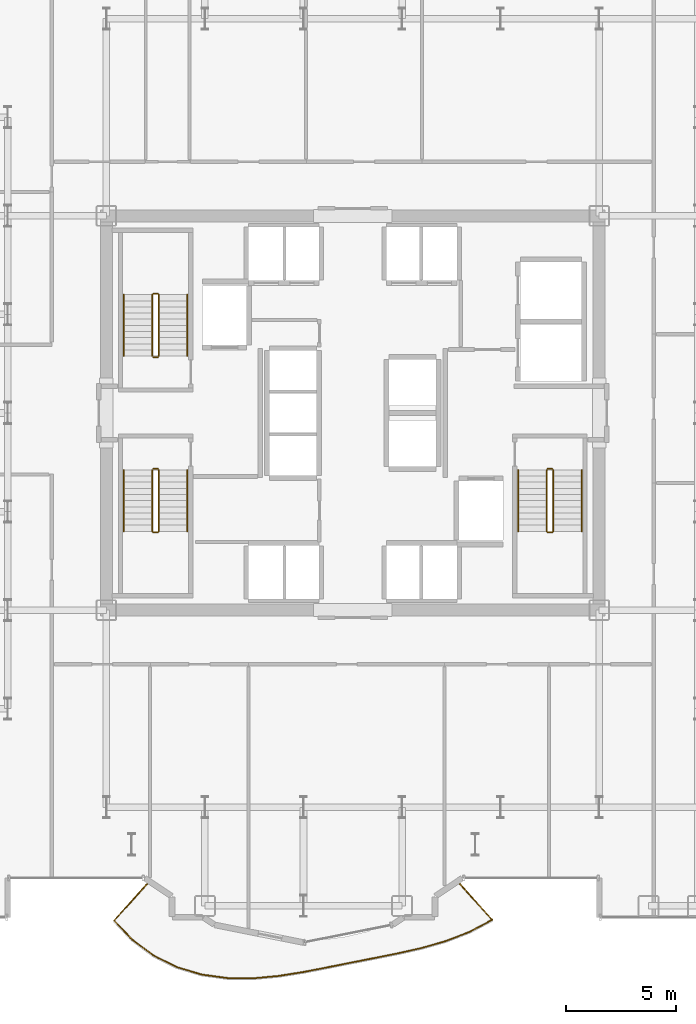
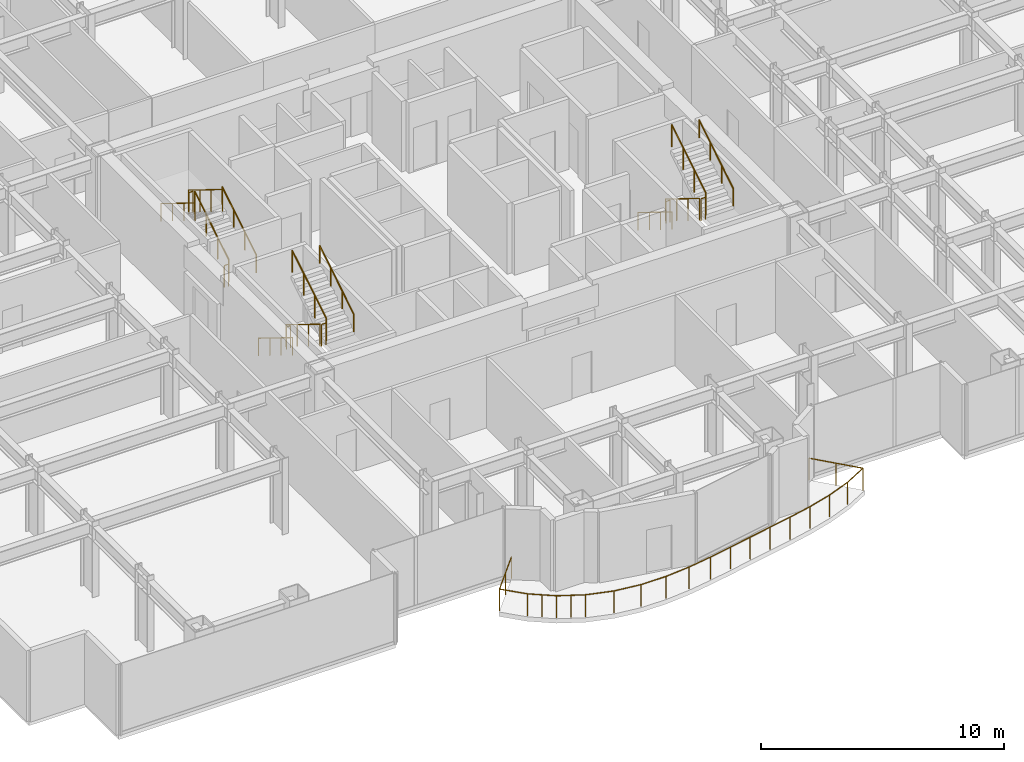
# One storey, part 27 of 28: 19 railings.
"""IFC4 building model written with IfcOpenShell, lengths in metres."""

from ifc_helpers import new_model, si_unit, direction, frame, origin, origin_2d, place, context, subcontext, project, spatial, circle, extrude, material, type_object, element, save


model = new_model("IFC4")

# Units and contexts
model_context = context("Model", 3, precision=1e-05, world=origin(), true_north=direction((0.0, 1.0)))
body_context = subcontext(model_context, "Body", "Model", "MODEL_VIEW")
ifc_project = project(units=[si_unit("LENGTHUNIT", "METRE"), si_unit("AREAUNIT", "SQUARE_METRE"), si_unit("VOLUMEUNIT", "CUBIC_METRE"), si_unit("PLANEANGLEUNIT", "RADIAN"), si_unit("MASSUNIT", "GRAM", prefix="KILO")], contexts=[model_context])

# Site, building, storey
site_placement = place(None, origin())
site = spatial("IfcSite", under=ifc_project, at=site_placement, CompositionType="ELEMENT")
building_placement = place(site_placement, origin())
building = spatial("IfcBuilding", under=site, at=building_placement, Name="Nefas-Gora Pilgrimage Tower", CompositionType="ELEMENT")
storey_placement = place(building_placement, frame((0.0, 0.0, 102.199951171875)))
storey = spatial("IfcBuildingStorey", under=building, at=storey_placement, Name="L24", CompositionType="ELEMENT", Elevation=102.199951171875)

# Railings
ifc_material_1 = material(Name="Laminated safety glass and stainless steel", Category="steel")
railing_type_1 = type_object("IfcRailingType", Name="RLG-BAL-1100", PredefinedType="BALUSTRADE", material=ifc_material_1)
railing_1_placement = place(storey_placement, frame((-9.302490234375, -21.402587890625, 0.0)))
element("IfcRailing", 1, at=railing_1_placement, inside=storey, type_object=railing_type_1, Name="L24 Wave Balcony Balustrade S2", PredefinedType="BALUSTRADE", context=body_context, shape_type="SweptSolid", body=[
    extrude(circle(Radius=0.02392578125, at=origin_2d()), frame((0.0, 0.0, 1.09619140625), z_axis=(-0.669135077133, -0.74314079995, 0.0), x_axis=(0.74314079995, -0.669135077133, 0.0)), (0.0, 0.0, 1.0), 2.375244140625),
    extrude(circle(Radius=0.02392578125, at=origin_2d()), frame((-1.58935546875, -1.76513671875, 1.09619140625), z_axis=(0.68750179514, -0.726182677898, 0.0), x_axis=(0.726182677898, 0.68750179514, 0.0)), (0.0, 0.0, 1.0), 1.19921875),
    extrude(circle(Radius=0.02392578125, at=origin_2d()), frame((-0.764892578125, -2.635986328125, 1.09619140625), z_axis=(0.801437477804, -0.59807856438, 0.0), x_axis=(0.59807856438, 0.801437477804, 0.0)), (0.0, 0.0, 1.0), 1.200439453125),
    extrude(circle(Radius=0.02392578125, at=origin_2d()), frame((0.197265625, -3.35400390625, 1.09619140625), z_axis=(0.89467105907, -0.44672552654, 0.0), x_axis=(0.44672552654, 0.89467105907, 0.0)), (0.0, 0.0, 1.0), 1.20068359375),
    extrude(circle(Radius=0.02392578125, at=origin_2d()), frame((1.271484375, -3.890380859375, 1.09619140625), z_axis=(0.958038938913, -0.286638084571, 0.0), x_axis=(0.286638084571, 0.958038938913, 0.0)), (0.0, 0.0, 1.0), 1.19921875),
    extrude(circle(Radius=0.02392578125, at=origin_2d()), frame((2.42041015625, -4.234130859375, 1.09619140625), z_axis=(0.990887292095, -0.134693631496, 0.0), x_axis=(0.134693631496, 0.990887292095, 0.0)), (0.0, 0.0, 1.0), 1.194580078125),
    extrude(circle(Radius=0.02392578125, at=origin_2d()), frame((3.60400390625, -4.39501953125, 1.09619140625), z_axis=(0.999987695818, -0.004960666536, 0.0), x_axis=(0.004960666536, 0.999987695818, 0.0)), (0.0, 0.0, 1.0), 1.18115234375),
    extrude(circle(Radius=0.02392578125, at=origin_2d()), frame((4.78515625, -4.40087890625, 1.09619140625), z_axis=(0.995572807418, 0.093993537703, 0.0), x_axis=(-0.093993537703, 0.995572807418, 0.0)), (0.0, 0.0, 1.0), 1.158447265625),
    extrude(circle(Radius=0.02392578125, at=origin_2d()), frame((5.9384765625, -4.2919921875, 1.09619140625), z_axis=(0.98740955461, 0.15818461197, 0.0), x_axis=(-0.15818461197, 0.98740955461, 0.0)), (0.0, 0.0, 1.0), 1.128173828125),
    extrude(circle(Radius=0.02392578125, at=origin_2d()), frame((7.052490234375, -4.113525390625, 1.09619140625), z_axis=(0.981742387209, 0.190215365199, 0.0), x_axis=(-0.190215365199, 0.981742387209, 0.0)), (0.0, 0.0, 1.0), 1.0986328125),
    extrude(circle(Radius=0.02392578125, at=origin_2d()), frame((8.131103515625, -3.904541015625, 1.09619140625), z_axis=(0.980414901531, 0.196943191949, 0.0), x_axis=(-0.196943191949, 0.980414901531, 0.0)), (0.0, 0.0, 1.0), 1.07861328125),
    extrude(circle(Radius=0.02392578125, at=origin_2d()), frame((9.1884765625, -3.692138671875, 1.09619140625), z_axis=(0.981315429712, 0.192405892346, 0.0), x_axis=(-0.192405892346, 0.981315429712, 0.0)), (0.0, 0.0, 1.0), 1.075927734375),
    extrude(circle(Radius=0.02392578125, at=origin_2d()), frame((10.244384765625, -3.485107421875, 1.09619140625), z_axis=(0.980846406589, 0.194782767929, 0.0), x_axis=(-0.194782767929, 0.980846406589, 0.0)), (0.0, 0.0, 1.0), 1.091796875),
    extrude(circle(Radius=0.02392578125, at=origin_2d()), frame((11.315185546875, -3.2724609375, 1.09619140625), z_axis=(0.975857703496, 0.218407285884, 0.0), x_axis=(-0.218407285884, 0.975857703496, 0.0)), (0.0, 0.0, 1.0), 1.1201171875),
    extrude(circle(Radius=0.02392578125, at=origin_2d()), frame((12.408203125, -3.02783203125, 1.09619140625), z_axis=(0.962066425729, 0.272815308377, 0.0), x_axis=(-0.272815308377, 0.962066425729, 0.0)), (0.0, 0.0, 1.0), 1.15087890625),
    extrude(circle(Radius=0.02392578125, at=origin_2d()), frame((13.515380859375, -2.7138671875, 1.09619140625), z_axis=(0.933666294474, 0.358144175665, 0.0), x_axis=(-0.358144175665, 0.933666294474, 0.0)), (0.0, 0.0, 1.0), 1.17578125),
    extrude(circle(Radius=0.02392578125, at=origin_2d()), frame((14.61328125, -2.292724609375, 1.09619140625), z_axis=(0.883049407943, 0.469280026351, 0.0), x_axis=(-0.469280026351, 0.883049407943, 0.0)), (0.0, 0.0, 1.0), 1.19189453125),
    extrude(circle(Radius=0.02392578125, at=origin_2d()), frame((15.665771484375, -1.7333984375, 1.09619140625), z_axis=(-0.669138195153, 0.743137992427, 0.0), x_axis=(-0.743137992427, -0.669138195153, 0.0)), (0.0, 0.0, 1.0), 2.33251953125),
    extrude(circle(Radius=0.02099609375, at=origin_2d()), origin(), (0.0, 0.0, 1.0), 1.072021484375),
    extrude(circle(Radius=0.02099609375, at=origin_2d()), frame((-0.794677734375, -0.882568359375, 0.0)), (0.0, 0.0, 1.0), 1.072021484375),
    extrude(circle(Radius=0.02099609375, at=origin_2d()), frame((-1.58935546875, -1.76513671875, 0.0)), (0.0, 0.0, 1.0), 1.072021484375),
    extrude(circle(Radius=0.02099609375, at=origin_2d()), frame((-0.764892578125, -2.635986328125, 0.0)), (0.0, 0.0, 1.0), 1.072021484375),
    extrude(circle(Radius=0.02099609375, at=origin_2d()), frame((-0.28369140625, -2.9951171875, 0.0)), (0.0, 0.0, 1.0), 1.072021484375),
    extrude(circle(Radius=0.02099609375, at=origin_2d()), frame((0.197265625, -3.35400390625, 0.0)), (0.0, 0.0, 1.0), 1.072021484375),
    extrude(circle(Radius=0.02099609375, at=origin_2d()), frame((0.734375, -3.6220703125, 0.0)), (0.0, 0.0, 1.0), 1.072021484375),
    extrude(circle(Radius=0.02099609375, at=origin_2d()), frame((1.271484375, -3.890380859375, 0.0)), (0.0, 0.0, 1.0), 1.072021484375),
    extrude(circle(Radius=0.02099609375, at=origin_2d()), frame((2.42041015625, -4.234130859375, 0.0)), (0.0, 0.0, 1.0), 1.072021484375),
    extrude(circle(Radius=0.02099609375, at=origin_2d()), frame((3.60400390625, -4.39501953125, 0.0)), (0.0, 0.0, 1.0), 1.072021484375),
    extrude(circle(Radius=0.02099609375, at=origin_2d()), frame((4.78515625, -4.40087890625, 0.0)), (0.0, 0.0, 1.0), 1.072021484375),
    extrude(circle(Radius=0.02099609375, at=origin_2d()), frame((5.9384765625, -4.2919921875, 0.0)), (0.0, 0.0, 1.0), 1.072021484375),
    extrude(circle(Radius=0.02099609375, at=origin_2d()), frame((7.052490234375, -4.113525390625, 0.0)), (0.0, 0.0, 1.0), 1.072021484375),
    extrude(circle(Radius=0.02099609375, at=origin_2d()), frame((8.131103515625, -3.904541015625, 0.0)), (0.0, 0.0, 1.0), 1.072021484375),
    extrude(circle(Radius=0.02099609375, at=origin_2d()), frame((9.1884765625, -3.692138671875, 0.0)), (0.0, 0.0, 1.0), 1.072021484375),
    extrude(circle(Radius=0.02099609375, at=origin_2d()), frame((10.244384765625, -3.485107421875, 0.0)), (0.0, 0.0, 1.0), 1.072021484375),
    extrude(circle(Radius=0.02099609375, at=origin_2d()), frame((11.315185546875, -3.2724609375, 0.0)), (0.0, 0.0, 1.0), 1.072021484375),
    extrude(circle(Radius=0.02099609375, at=origin_2d()), frame((12.408203125, -3.02783203125, 0.0)), (0.0, 0.0, 1.0), 1.072021484375),
    extrude(circle(Radius=0.02099609375, at=origin_2d()), frame((13.515380859375, -2.7138671875, 0.0)), (0.0, 0.0, 1.0), 1.072021484375),
    extrude(circle(Radius=0.02099609375, at=origin_2d()), frame((14.61328125, -2.292724609375, 0.0)), (0.0, 0.0, 1.0), 1.072021484375),
    extrude(circle(Radius=0.02099609375, at=origin_2d()), frame((15.665771484375, -1.7333984375, 0.0)), (0.0, 0.0, 1.0), 1.072021484375),
    extrude(circle(Radius=0.02099609375, at=origin_2d()), frame((14.88525390625, -0.86669921875, 0.0)), (0.0, 0.0, 1.0), 1.072021484375),
    extrude(circle(Radius=0.02099609375, at=origin_2d()), frame((14.10498046875, 0.0, 0.0)), (0.0, 0.0, 1.0), 1.072021484375),
])
ifc_material_2 = material(Name="Painted galvanised steel", Category="steel")
railing_type_2 = type_object("IfcRailingType", Name="RLG-STR-GUARD-1100", PredefinedType="GUARDRAIL", material=ifc_material_2)
railing_2_placement = place(storey_placement, frame((-8.85009765625, 2.60009765625, 0.1728515625)))
element("IfcRailing", 2, at=railing_2_placement, inside=storey, type_object=railing_type_2, Name="L24 ST-01 stair guard 1", PredefinedType="GUARDRAIL", context=body_context, shape_type="SweptSolid", body=[
    extrude(circle(Radius=0.02392578125, at=origin_2d()), frame((0.0, 0.0, 1.09619140625), z_axis=(0.0, 0.851069175582, 0.525053576669), x_axis=(-1.0, 0.0, 0.0)), (0.0, 0.0, 1.0), 3.289794921875),
    extrude(circle(Radius=0.02099609375, at=origin_2d()), origin(), (0.0, 0.0, 1.0), 1.072021484375),
    extrude(circle(Radius=0.02099609375, at=origin_2d()), frame((0.0, 0.933349609375, 0.57568359375)), (0.0, 0.0, 1.0), 1.072021484375),
    extrude(circle(Radius=0.02099609375, at=origin_2d()), frame((0.0, 1.866455078125, 1.151611328125)), (0.0, 0.0, 1.0), 1.072021484375),
    extrude(circle(Radius=0.02099609375, at=origin_2d()), frame((0.0, 2.7998046875, 1.727294921875)), (0.0, 0.0, 1.0), 1.072021484375),
])
railing_3_placement = place(storey_placement, frame((-8.89990234375, 5.449951171875, 1.900146484375)))
element("IfcRailing", 3, at=railing_3_placement, inside=storey, type_object=railing_type_2, Name="L24 ST-01 stair guard 2", PredefinedType="GUARDRAIL", context=body_context, shape_type="SweptSolid", body=[
    extrude(circle(Radius=0.02392578125, at=origin_2d()), frame((0.0, 0.0, 1.09619140625), z_axis=(-1.0, 0.0, 0.0), x_axis=(0.0, -1.0, 0.0)), (0.0, 0.0, 1.0), 0.2001953125),
    extrude(circle(Radius=0.02099609375, at=origin_2d()), origin(), (0.0, 0.0, 1.0), 1.072021484375),
    extrude(circle(Radius=0.02099609375, at=origin_2d()), frame((-0.2001953125, 0.0, 0.0)), (0.0, 0.0, 1.0), 1.072021484375),
])
railing_4_placement = place(storey_placement, frame((-9.14990234375, 5.39990234375, 2.07275390625)))
element("IfcRailing", 4, at=railing_4_placement, inside=storey, type_object=railing_type_2, Name="L24 ST-01 stair guard 3", PredefinedType="GUARDRAIL", context=body_context, shape_type="SweptSolid", body=[
    extrude(circle(Radius=0.02392578125, at=origin_2d()), frame((0.0, 0.0, 1.09619140625), z_axis=(0.0, -0.851069175582, 0.525053576669), x_axis=(1.0, 0.0, 0.0)), (0.0, 0.0, 1.0), 3.289794921875),
    extrude(circle(Radius=0.02099609375, at=origin_2d()), origin(), (0.0, 0.0, 1.0), 1.072021484375),
    extrude(circle(Radius=0.02099609375, at=origin_2d()), frame((0.0, -0.933349609375, 0.57568359375)), (0.0, 0.0, 1.0), 1.072021484375),
    extrude(circle(Radius=0.02099609375, at=origin_2d()), frame((0.0, -1.866455078125, 1.151611328125)), (0.0, 0.0, 1.0), 1.072021484375),
    extrude(circle(Radius=0.02099609375, at=origin_2d()), frame((0.0, -2.7998046875, 1.727294921875)), (0.0, 0.0, 1.0), 1.072021484375),
])
railing_5_placement = place(storey_placement, frame((-8.89990234375, 2.550048828125, 0.0)))
element("IfcRailing", 5, at=railing_5_placement, inside=storey, type_object=railing_type_2, Name="L24 ST-01 stair guard 4", PredefinedType="GUARDRAIL", context=body_context, shape_type="SweptSolid", body=[
    extrude(circle(Radius=0.02392578125, at=origin_2d()), frame((0.0, 0.0, 1.09619140625), z_axis=(-1.0, 0.0, 0.0), x_axis=(0.0, -1.0, 0.0)), (0.0, 0.0, 1.0), 0.2001953125),
    extrude(circle(Radius=0.02099609375, at=origin_2d()), origin(), (0.0, 0.0, 1.0), 1.072021484375),
    extrude(circle(Radius=0.02099609375, at=origin_2d()), frame((-0.2001953125, 0.0, 0.0)), (0.0, 0.0, 1.0), 1.072021484375),
])
railing_6_placement = place(storey_placement, frame((8.85009765625, -2.60009765625, 0.1728515625)))
element("IfcRailing", 6, at=railing_6_placement, inside=storey, type_object=railing_type_2, Name="L24 ST-02 stair guard 1", PredefinedType="GUARDRAIL", context=body_context, shape_type="SweptSolid", body=[
    extrude(circle(Radius=0.02392578125, at=origin_2d()), frame((0.0, 0.0, 1.09619140625), z_axis=(0.0, -0.851069175582, 0.525053576669), x_axis=(1.0, 0.0, 0.0)), (0.0, 0.0, 1.0), 3.289794921875),
    extrude(circle(Radius=0.02099609375, at=origin_2d()), origin(), (0.0, 0.0, 1.0), 1.072021484375),
    extrude(circle(Radius=0.02099609375, at=origin_2d()), frame((0.0, -0.933349609375, 0.57568359375)), (0.0, 0.0, 1.0), 1.072021484375),
    extrude(circle(Radius=0.02099609375, at=origin_2d()), frame((0.0, -1.866455078125, 1.151611328125)), (0.0, 0.0, 1.0), 1.072021484375),
    extrude(circle(Radius=0.02099609375, at=origin_2d()), frame((0.0, -2.7998046875, 1.727294921875)), (0.0, 0.0, 1.0), 1.072021484375),
])
railing_7_placement = place(storey_placement, frame((8.89990234375, -5.449951171875, 1.900146484375)))
element("IfcRailing", 7, at=railing_7_placement, inside=storey, type_object=railing_type_2, Name="L24 ST-02 stair guard 2", PredefinedType="GUARDRAIL", context=body_context, shape_type="SweptSolid", body=[
    extrude(circle(Radius=0.02392578125, at=origin_2d()), frame((0.0, 0.0, 1.09619140625), z_axis=(1.0, 0.0, 0.0), x_axis=(0.0, 1.0, 0.0)), (0.0, 0.0, 1.0), 0.2001953125),
    extrude(circle(Radius=0.02099609375, at=origin_2d()), origin(), (0.0, 0.0, 1.0), 1.072021484375),
    extrude(circle(Radius=0.02099609375, at=origin_2d()), frame((0.2001953125, 0.0, 0.0)), (0.0, 0.0, 1.0), 1.072021484375),
])
railing_8_placement = place(storey_placement, frame((9.14990234375, -5.39990234375, 2.07275390625)))
element("IfcRailing", 8, at=railing_8_placement, inside=storey, type_object=railing_type_2, Name="L24 ST-02 stair guard 3", PredefinedType="GUARDRAIL", context=body_context, shape_type="SweptSolid", body=[
    extrude(circle(Radius=0.02392578125, at=origin_2d()), frame((0.0, 0.0, 1.09619140625), z_axis=(0.0, 0.851069175582, 0.525053576669), x_axis=(-1.0, 0.0, 0.0)), (0.0, 0.0, 1.0), 3.289794921875),
    extrude(circle(Radius=0.02099609375, at=origin_2d()), origin(), (0.0, 0.0, 1.0), 1.072021484375),
    extrude(circle(Radius=0.02099609375, at=origin_2d()), frame((0.0, 0.933349609375, 0.57568359375)), (0.0, 0.0, 1.0), 1.072021484375),
    extrude(circle(Radius=0.02099609375, at=origin_2d()), frame((0.0, 1.866455078125, 1.151611328125)), (0.0, 0.0, 1.0), 1.072021484375),
    extrude(circle(Radius=0.02099609375, at=origin_2d()), frame((0.0, 2.7998046875, 1.727294921875)), (0.0, 0.0, 1.0), 1.072021484375),
])
railing_9_placement = place(storey_placement, frame((8.89990234375, -2.550048828125, 0.0)))
element("IfcRailing", 9, at=railing_9_placement, inside=storey, type_object=railing_type_2, Name="L24 ST-02 stair guard 4", PredefinedType="GUARDRAIL", context=body_context, shape_type="SweptSolid", body=[
    extrude(circle(Radius=0.02392578125, at=origin_2d()), frame((0.0, 0.0, 1.09619140625), z_axis=(1.0, 0.0, 0.0), x_axis=(0.0, 1.0, 0.0)), (0.0, 0.0, 1.0), 0.2001953125),
    extrude(circle(Radius=0.02099609375, at=origin_2d()), origin(), (0.0, 0.0, 1.0), 1.072021484375),
    extrude(circle(Radius=0.02099609375, at=origin_2d()), frame((0.2001953125, 0.0, 0.0)), (0.0, 0.0, 1.0), 1.072021484375),
])
railing_10_placement = place(storey_placement, frame((-9.14990234375, -2.60009765625, 0.1728515625)))
element("IfcRailing", 10, at=railing_10_placement, inside=storey, type_object=railing_type_2, Name="L24 ST-03 stair guard 1", PredefinedType="GUARDRAIL", context=body_context, shape_type="SweptSolid", body=[
    extrude(circle(Radius=0.02392578125, at=origin_2d()), frame((0.0, 0.0, 1.09619140625), z_axis=(0.0, -0.851069175582, 0.525053576669), x_axis=(1.0, 0.0, 0.0)), (0.0, 0.0, 1.0), 3.289794921875),
    extrude(circle(Radius=0.02099609375, at=origin_2d()), origin(), (0.0, 0.0, 1.0), 1.072021484375),
    extrude(circle(Radius=0.02099609375, at=origin_2d()), frame((0.0, -0.933349609375, 0.57568359375)), (0.0, 0.0, 1.0), 1.072021484375),
    extrude(circle(Radius=0.02099609375, at=origin_2d()), frame((0.0, -1.866455078125, 1.151611328125)), (0.0, 0.0, 1.0), 1.072021484375),
    extrude(circle(Radius=0.02099609375, at=origin_2d()), frame((0.0, -2.7998046875, 1.727294921875)), (0.0, 0.0, 1.0), 1.072021484375),
])
railing_11_placement = place(storey_placement, frame((-9.10009765625, -5.449951171875, 1.900146484375)))
element("IfcRailing", 11, at=railing_11_placement, inside=storey, type_object=railing_type_2, Name="L24 ST-03 stair guard 2", PredefinedType="GUARDRAIL", context=body_context, shape_type="SweptSolid", body=[
    extrude(circle(Radius=0.02392578125, at=origin_2d()), frame((0.0, 0.0, 1.09619140625), z_axis=(1.0, 0.0, 0.0), x_axis=(0.0, 1.0, 0.0)), (0.0, 0.0, 1.0), 0.2001953125),
    extrude(circle(Radius=0.02099609375, at=origin_2d()), origin(), (0.0, 0.0, 1.0), 1.072021484375),
    extrude(circle(Radius=0.02099609375, at=origin_2d()), frame((0.2001953125, 0.0, 0.0)), (0.0, 0.0, 1.0), 1.072021484375),
])
railing_12_placement = place(storey_placement, frame((-8.85009765625, -5.39990234375, 2.07275390625)))
element("IfcRailing", 12, at=railing_12_placement, inside=storey, type_object=railing_type_2, Name="L24 ST-03 stair guard 3", PredefinedType="GUARDRAIL", context=body_context, shape_type="SweptSolid", body=[
    extrude(circle(Radius=0.02392578125, at=origin_2d()), frame((0.0, 0.0, 1.09619140625), z_axis=(0.0, 0.851069175582, 0.525053576669), x_axis=(-1.0, 0.0, 0.0)), (0.0, 0.0, 1.0), 3.289794921875),
    extrude(circle(Radius=0.02099609375, at=origin_2d()), origin(), (0.0, 0.0, 1.0), 1.072021484375),
    extrude(circle(Radius=0.02099609375, at=origin_2d()), frame((0.0, 0.933349609375, 0.57568359375)), (0.0, 0.0, 1.0), 1.072021484375),
    extrude(circle(Radius=0.02099609375, at=origin_2d()), frame((0.0, 1.866455078125, 1.151611328125)), (0.0, 0.0, 1.0), 1.072021484375),
    extrude(circle(Radius=0.02099609375, at=origin_2d()), frame((0.0, 2.7998046875, 1.727294921875)), (0.0, 0.0, 1.0), 1.072021484375),
])
railing_13_placement = place(storey_placement, frame((-9.10009765625, -2.550048828125, 0.0)))
element("IfcRailing", 13, at=railing_13_placement, inside=storey, type_object=railing_type_2, Name="L24 ST-03 stair guard 4", PredefinedType="GUARDRAIL", context=body_context, shape_type="SweptSolid", body=[
    extrude(circle(Radius=0.02392578125, at=origin_2d()), frame((0.0, 0.0, 1.09619140625), z_axis=(1.0, 0.0, 0.0), x_axis=(0.0, 1.0, 0.0)), (0.0, 0.0, 1.0), 0.2001953125),
    extrude(circle(Radius=0.02099609375, at=origin_2d()), origin(), (0.0, 0.0, 1.0), 1.072021484375),
    extrude(circle(Radius=0.02099609375, at=origin_2d()), frame((0.2001953125, 0.0, 0.0)), (0.0, 0.0, 1.0), 1.072021484375),
])
ifc_material_3 = material(Name="Brushed stainless steel", Category="steel")
railing_type_3 = type_object("IfcRailingType", Name="RLG-STR-HAND-900", PredefinedType="HANDRAIL", material=ifc_material_3)
railing_14_placement = place(storey_placement, frame((-7.550048828125, 2.60009765625, 0.1728515625)))
element("IfcRailing", 14, at=railing_14_placement, inside=storey, type_object=railing_type_3, Name="L24 ST-01 stair handrail 1", PredefinedType="HANDRAIL", context=body_context, shape_type="SweptSolid", body=[
    extrude(circle(Radius=0.02392578125, at=origin_2d()), frame((0.0, 0.0, 0.8759765625), z_axis=(0.0, 0.851069175582, 0.525053576669), x_axis=(-1.0, 0.0, 0.0)), (0.0, 0.0, 1.0), 3.289794921875),
    extrude(circle(Radius=0.02099609375, at=origin_2d()), origin(), (0.0, 0.0, 1.0), 0.851806640625),
    extrude(circle(Radius=0.02099609375, at=origin_2d()), frame((0.0, 0.933349609375, 0.57568359375)), (0.0, 0.0, 1.0), 0.851806640625),
    extrude(circle(Radius=0.02099609375, at=origin_2d()), frame((0.0, 1.866455078125, 1.151611328125)), (0.0, 0.0, 1.0), 0.851806640625),
    extrude(circle(Radius=0.02099609375, at=origin_2d()), frame((0.0, 2.7998046875, 1.727294921875)), (0.0, 0.0, 1.0), 0.851806640625),
])
for number, where, name in (
    (15, (-10.449951171875, 5.39990234375, 2.07275390625), "L24 ST-01 stair handrail 2"),
    (16, (7.550048828125, -2.60009765625, 0.1728515625), "L24 ST-02 stair handrail 1"),
):
    element("IfcRailing", number, at=place(storey_placement, frame(where)), inside=storey, type_object=railing_type_3, Name=name, PredefinedType="HANDRAIL", context=body_context, shape_type="SweptSolid", body=[
        extrude(circle(Radius=0.02392578125, at=origin_2d()), frame((0.0, 0.0, 0.8759765625), z_axis=(0.0, -0.851069175582, 0.525053576669), x_axis=(1.0, 0.0, 0.0)), (0.0, 0.0, 1.0), 3.289794921875),
        extrude(circle(Radius=0.02099609375, at=origin_2d()), origin(), (0.0, 0.0, 1.0), 0.851806640625),
        extrude(circle(Radius=0.02099609375, at=origin_2d()), frame((0.0, -0.933349609375, 0.57568359375)), (0.0, 0.0, 1.0), 0.851806640625),
        extrude(circle(Radius=0.02099609375, at=origin_2d()), frame((0.0, -1.866455078125, 1.151611328125)), (0.0, 0.0, 1.0), 0.851806640625),
        extrude(circle(Radius=0.02099609375, at=origin_2d()), frame((0.0, -2.7998046875, 1.727294921875)), (0.0, 0.0, 1.0), 0.851806640625),
    ])
railing_15_placement = place(storey_placement, frame((10.449951171875, -5.39990234375, 2.07275390625)))
element("IfcRailing", 17, at=railing_15_placement, inside=storey, type_object=railing_type_3, Name="L24 ST-02 stair handrail 2", PredefinedType="HANDRAIL", context=body_context, shape_type="SweptSolid", body=[
    extrude(circle(Radius=0.02392578125, at=origin_2d()), frame((0.0, 0.0, 0.8759765625), z_axis=(0.0, 0.851069175582, 0.525053576669), x_axis=(-1.0, 0.0, 0.0)), (0.0, 0.0, 1.0), 3.289794921875),
    extrude(circle(Radius=0.02099609375, at=origin_2d()), origin(), (0.0, 0.0, 1.0), 0.851806640625),
    extrude(circle(Radius=0.02099609375, at=origin_2d()), frame((0.0, 0.933349609375, 0.57568359375)), (0.0, 0.0, 1.0), 0.851806640625),
    extrude(circle(Radius=0.02099609375, at=origin_2d()), frame((0.0, 1.866455078125, 1.151611328125)), (0.0, 0.0, 1.0), 0.851806640625),
    extrude(circle(Radius=0.02099609375, at=origin_2d()), frame((0.0, 2.7998046875, 1.727294921875)), (0.0, 0.0, 1.0), 0.851806640625),
])
railing_16_placement = place(storey_placement, frame((-10.449951171875, -2.60009765625, 0.1728515625)))
element("IfcRailing", 18, at=railing_16_placement, inside=storey, type_object=railing_type_3, Name="L24 ST-03 stair handrail 1", PredefinedType="HANDRAIL", context=body_context, shape_type="SweptSolid", body=[
    extrude(circle(Radius=0.02392578125, at=origin_2d()), frame((0.0, 0.0, 0.8759765625), z_axis=(0.0, -0.851069175582, 0.525053576669), x_axis=(1.0, 0.0, 0.0)), (0.0, 0.0, 1.0), 3.289794921875),
    extrude(circle(Radius=0.02099609375, at=origin_2d()), origin(), (0.0, 0.0, 1.0), 0.851806640625),
    extrude(circle(Radius=0.02099609375, at=origin_2d()), frame((0.0, -0.933349609375, 0.57568359375)), (0.0, 0.0, 1.0), 0.851806640625),
    extrude(circle(Radius=0.02099609375, at=origin_2d()), frame((0.0, -1.866455078125, 1.151611328125)), (0.0, 0.0, 1.0), 0.851806640625),
    extrude(circle(Radius=0.02099609375, at=origin_2d()), frame((0.0, -2.7998046875, 1.727294921875)), (0.0, 0.0, 1.0), 0.851806640625),
])
railing_17_placement = place(storey_placement, frame((-7.550048828125, -5.39990234375, 2.07275390625)))
element("IfcRailing", 19, at=railing_17_placement, inside=storey, type_object=railing_type_3, Name="L24 ST-03 stair handrail 2", PredefinedType="HANDRAIL", context=body_context, shape_type="SweptSolid", body=[
    extrude(circle(Radius=0.02392578125, at=origin_2d()), frame((0.0, 0.0, 0.8759765625), z_axis=(0.0, 0.851069175582, 0.525053576669), x_axis=(-1.0, 0.0, 0.0)), (0.0, 0.0, 1.0), 3.289794921875),
    extrude(circle(Radius=0.02099609375, at=origin_2d()), origin(), (0.0, 0.0, 1.0), 0.851806640625),
    extrude(circle(Radius=0.02099609375, at=origin_2d()), frame((0.0, 0.933349609375, 0.57568359375)), (0.0, 0.0, 1.0), 0.851806640625),
    extrude(circle(Radius=0.02099609375, at=origin_2d()), frame((0.0, 1.866455078125, 1.151611328125)), (0.0, 0.0, 1.0), 0.851806640625),
    extrude(circle(Radius=0.02099609375, at=origin_2d()), frame((0.0, 2.7998046875, 1.727294921875)), (0.0, 0.0, 1.0), 0.851806640625),
])

save(model, "model.ifc")
